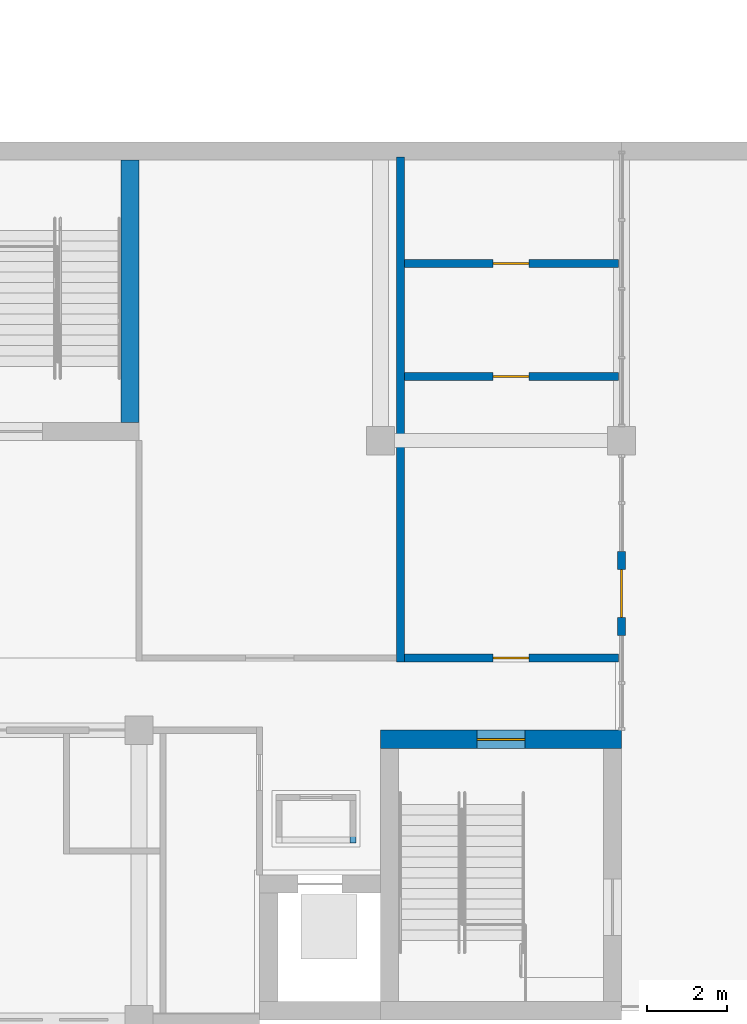
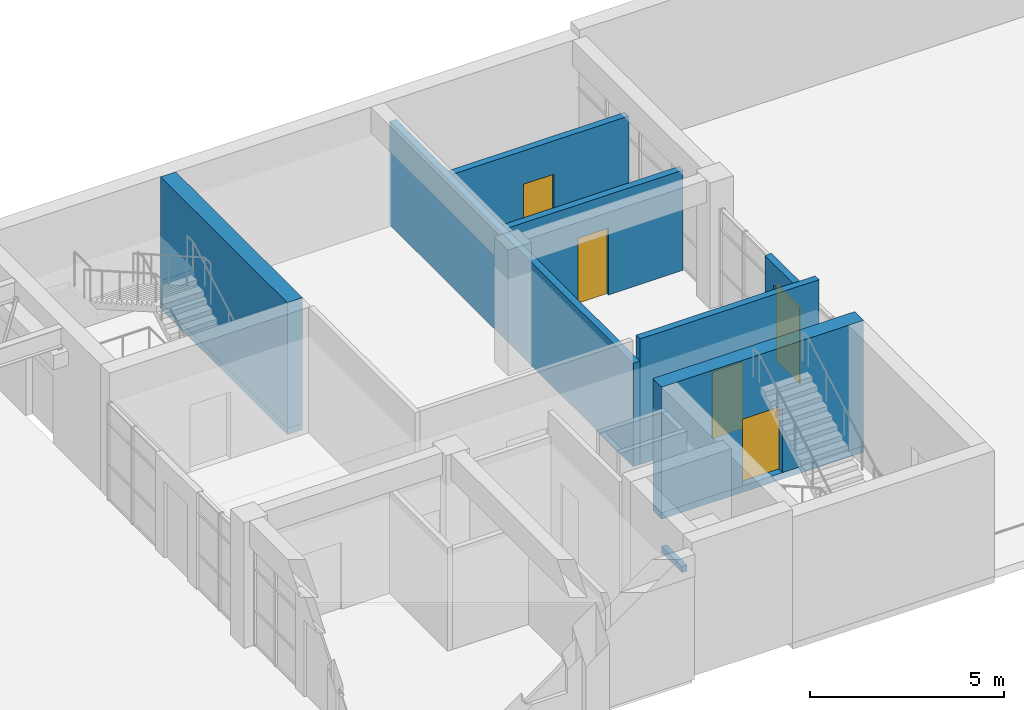
# One storey, part 72 of 103: 10 walls, 5 doors, 5 openings.
"""IFC4 building model written with IfcOpenShell, lengths in metres."""

import ifcopenshell
import ifcopenshell.guid

model = None  # the IFC model being written
_history = None  # IfcOwnerHistory: only IFC2X3 demands one
_inside = {}  # id of a spatial element -> (the spatial element, [elements in it])
_under = {}  # id of a project, library or spatial element -> (it, [spatial elements below it])
_declared = {}  # id of a project -> (the project, [libraries it declares])
_typed = {}  # id of a type object -> (the type object, [elements of that type])
_made_of = {}  # id of a material, layer set ... -> (it, [elements and type objects made of it])


def new_model(schema):
    """Start an empty IFC model of exactly this schema.

    Asked for "IFC4X3", IfcOpenShell would pick the latest addendum, in which some entities
    have other attributes; the version numbers below select the first issue.
    IFC2X3 requires an IfcOwnerHistory on every rooted entity: one is made here for all.
    """
    global model, _history
    if schema == "IFC4X3":
        model = ifcopenshell.file(schema_version=(4, 3, 0, 0))
    else:
        model = ifcopenshell.file(schema=schema)
    _inside.clear()
    _under.clear()
    _declared.clear()
    _typed.clear()
    _made_of.clear()
    _history = None
    if model.schema == "IFC2X3":
        org = make("IfcOrganization", Name="unknown")
        user = make(
            "IfcPersonAndOrganization",
            ThePerson=make("IfcPerson", FamilyName="unknown"),
            TheOrganization=org,
        )
        app = make(
            "IfcApplication",
            ApplicationDeveloper=org,
            Version="unknown",
            ApplicationFullName="unknown",
            ApplicationIdentifier="unknown",
        )
        _history = make(
            "IfcOwnerHistory",
            OwningUser=user,
            OwningApplication=app,
            ChangeAction="ADDED",
            CreationDate=0,
        )
    return model


def make(cls, **values):
    """One entity of the class cls with the attributes given. An attribute that is None is left unset."""
    return model.create_entity(
        cls, **{name: value for name, value in values.items() if value is not None}
    )


def rooted(cls, **values):
    """An entity with a GlobalId (a new one), such as an element, a storey or a relation."""
    return make(cls, GlobalId=ifcopenshell.guid.new(), OwnerHistory=_history, **values)


def si_unit(unit_type, name, prefix=None):
    """IfcSIUnit, for example si_unit("LENGTHUNIT", "METRE", prefix="MILLI")."""
    return make("IfcSIUnit", UnitType=unit_type, Prefix=prefix, Name=name)


def assignment(units):
    """IfcUnitAssignment: the units of a project."""
    return None if units is None else make("IfcUnitAssignment", Units=units)


def point(xyz):
    """IfcCartesianPoint."""
    return None if xyz is None else make("IfcCartesianPoint", Coordinates=xyz)


def direction(xyz):
    """IfcDirection."""
    return None if xyz is None else make("IfcDirection", DirectionRatios=xyz)


def frame(location, z_axis=None, x_axis=None):
    """IfcAxis2Placement3D, a coordinate frame: its origin and axes. An axis left out is left unset."""
    return make(
        "IfcAxis2Placement3D",
        Location=point(location),
        Axis=direction(z_axis),
        RefDirection=direction(x_axis),
    )


def frame_2d(location, x_axis=None):
    """IfcAxis2Placement2D, a coordinate frame in the plane: its origin and x axis."""
    return make(
        "IfcAxis2Placement2D", Location=point(location), RefDirection=direction(x_axis)
    )


def origin():
    """The frame at (0, 0, 0) with its axes left unset."""
    return frame((0.0, 0.0, 0.0))


def place(relative_to, where):
    """IfcLocalPlacement: puts the frame where relative to a parent placement (None: the world)."""
    return make(
        "IfcLocalPlacement", PlacementRelTo=relative_to, RelativePlacement=where
    )


def context(
    kind, dimensions, precision=None, world=None, true_north=None, identifier=None
):
    """IfcGeometricRepresentationContext, for example the 3D "Model" context."""
    return make(
        "IfcGeometricRepresentationContext",
        ContextIdentifier=identifier,
        ContextType=kind,
        CoordinateSpaceDimension=dimensions,
        Precision=precision,
        WorldCoordinateSystem=world,
        TrueNorth=true_north,
    )


def subcontext(parent, identifier, kind, view, scale=None):
    """IfcGeometricRepresentationSubContext, for example "Body" below "Model"."""
    return make(
        "IfcGeometricRepresentationSubContext",
        ContextIdentifier=identifier,
        ContextType=kind,
        ParentContext=parent,
        TargetScale=scale,
        TargetView=view,
    )


def project(units=None, contexts=None):
    """IfcProject with its units and contexts."""
    return rooted(
        "IfcProject",
        Name="project",
        RepresentationContexts=contexts,
        UnitsInContext=assignment(units),
    )


def spatial(cls, under=None, at=None, **own):
    """A site, building, storey or space (cls), placed at a placement, below another one or the project."""
    s = rooted(cls, ObjectPlacement=at, **own)
    if under is not None:
        _under.setdefault(under.id(), (under, []))[1].append(s)
    return s


def profile(cls, at=None, kind="AREA", **sizes):
    """A parametric profile (cls). Its sizes go by their IFC names, for example OverallWidth=200.0."""
    return make(cls, ProfileType=kind, Position=at, **sizes)


def rectangle(**sizes):
    """IfcRectangleProfileDef."""
    return profile("IfcRectangleProfileDef", **sizes)


def extrude(swept, where, along, depth):
    """IfcExtrudedAreaSolid: the profile swept, set in the frame where, extruded along a direction by depth."""
    return make(
        "IfcExtrudedAreaSolid",
        SweptArea=swept,
        Position=where,
        ExtrudedDirection=direction(along),
        Depth=depth,
    )


def shape(context_of_items, identifier, shape_type, items):
    """IfcShapeRepresentation: the items that make up one representation, for example the "Body"."""
    return make(
        "IfcShapeRepresentation",
        ContextOfItems=context_of_items,
        RepresentationIdentifier=identifier,
        RepresentationType=shape_type,
        Items=items,
    )


def material(Name=None, Category=None):
    """IfcMaterial."""
    return make("IfcMaterial", Name=Name, Category=Category)


def layer(
    of_material, thickness, ventilated=None, Name=None, Category=None, Priority=None
):
    """IfcMaterialLayer: one layer of a wall or slab, of a material (None: an air gap)."""
    return make(
        "IfcMaterialLayer",
        Material=of_material,
        LayerThickness=thickness,
        IsVentilated=ventilated,
        Name=Name,
        Category=Category,
        Priority=Priority,
    )


def layer_set(layers, Name=None):
    """IfcMaterialLayerSet."""
    return make("IfcMaterialLayerSet", MaterialLayers=layers, LayerSetName=Name)


def made_of(thing, what):
    """Note that an element or type object is made of a material, layer set ...; save() writes the relation."""
    if what is not None:
        _made_of.setdefault(what.id(), (what, []))[1].append(thing)
    return thing


def type_object(cls, material=None, **own):
    """A type object (cls), such as IfcWallType, which elements share."""
    return made_of(rooted(cls, **own), material)


def element(
    cls,
    number,
    at=None,
    inside=None,
    cuts=None,
    type_object=None,
    material=None,
    context=None,
    identifier="Body",
    shape_type=None,
    held_by="IfcProductDefinitionShape",
    body=None,
    shapes=None,
    **own,
):
    """One element of the class cls, such as IfcWall. Its Tag is "e" and its number.

    at: its placement. inside: the storey or other place that contains it. cuts: it is an
    opening in that element (IfcRelVoidsElement). A single representation is given by context,
    identifier, shape_type and body (its items); several are given by shapes. held_by: the class
    of the entity that holds the representations. save() writes the other relations.
    """
    e = rooted(cls, Tag="e%d" % number, ObjectPlacement=at, **own)
    if body is not None:
        shapes = [shape(context, identifier, shape_type, body)]
    if shapes is not None:
        e.Representation = make(held_by, Representations=shapes)
    if inside is not None:
        _inside.setdefault(inside.id(), (inside, []))[1].append(e)
    if cuts is not None:
        rooted(
            "IfcRelVoidsElement", RelatingBuildingElement=cuts, RelatedOpeningElement=e
        )
    if type_object is not None:
        _typed.setdefault(type_object.id(), (type_object, []))[1].append(e)
    return made_of(e, material)


def fill(opening, filler):
    """IfcRelFillsElement: the door or window that sits in an opening."""
    return rooted(
        "IfcRelFillsElement",
        RelatingOpeningElement=opening,
        RelatedBuildingElement=filler,
    )


def aggregate(whole, parts):
    """IfcRelAggregates: a whole, such as a stair, and the parts it consists of."""
    return rooted("IfcRelAggregates", RelatingObject=whole, RelatedObjects=parts)


def save(model, path):
    """Write the relations noted so far, then the file.

    IfcRelAggregates (storeys below a building ...), IfcRelContainedInSpatialStructure (elements
    in a storey), IfcRelDefinesByType, IfcRelAssociatesMaterial and IfcRelDeclares: one each for
    every whole, place, type object, material and project.
    """
    for whole, parts in _under.values():
        aggregate(whole, parts)
    for where, things in _inside.values():
        rooted(
            "IfcRelContainedInSpatialStructure",
            RelatedElements=things,
            RelatingStructure=where,
        )
    for kind, things in _typed.values():
        rooted("IfcRelDefinesByType", RelatedObjects=things, RelatingType=kind)
    for what, things in _made_of.values():
        rooted("IfcRelAssociatesMaterial", RelatedObjects=things, RelatingMaterial=what)
    for by, libraries in _declared.values():
        rooted("IfcRelDeclares", RelatingContext=by, RelatedDefinitions=libraries)
    model.write(path)


model = new_model("IFC4")

# Units and contexts
model_context = context("Model", 3, precision=1e-05, world=origin(), true_north=direction((0.0, 1.0)))
body_context = subcontext(model_context, "Body", "Model", "MODEL_VIEW")
ifc_project = project(units=[si_unit("LENGTHUNIT", "METRE"), si_unit("AREAUNIT", "SQUARE_METRE"), si_unit("VOLUMEUNIT", "CUBIC_METRE"), si_unit("PLANEANGLEUNIT", "RADIAN"), si_unit("MASSUNIT", "GRAM", prefix="KILO")], contexts=[model_context])

# Site, building, storey
site_placement = place(None, origin())
site = spatial("IfcSite", under=ifc_project, at=site_placement, CompositionType="ELEMENT")
building_placement = place(site_placement, origin())
building = spatial("IfcBuilding", under=site, at=building_placement, Name="Laocheng Heights Fire and Rescue Headquarters", CompositionType="ELEMENT")
storey_placement = place(building_placement, frame((0.0, 0.0, 4.199951171875)))
storey = spatial("IfcBuildingStorey", under=building, at=storey_placement, Name="L01", CompositionType="ELEMENT", Elevation=4.199951171875)

# Wall
ifc_material_1 = material(Name="Gypsum plaster")
ifc_layer_1 = layer(ifc_material_1, 0.010009765625, Name="PLASTER", Category="plaster")
ifc_material_2 = material(Name="Concrete blockwork MU10", Category="masonry")
ifc_layer_2 = layer(ifc_material_2, 0.179931640625, Name="BLOCKWORK", Category="masonry")
ifc_layer_3 = layer(ifc_material_1, 0.010009765625, Name="PLASTER", Category="plaster")
ifc_layer_set_1 = layer_set([ifc_layer_1, ifc_layer_2, ifc_layer_3], Name="Concrete blockwork MU10")
wall_type_1 = type_object("IfcWallType", Name="BLOCKWORK FIRE PARTITION 200 EI 120 CREW WING", PredefinedType="PARTITIONING", material=ifc_layer_set_1)
wall_1_placement = place(storey_placement, frame((102.5, 44.89990234375, 0.0), z_axis=(0.0, 0.0, 1.0), x_axis=(0.0, 1.0, 0.0)))
element("IfcWall", 1, at=wall_1_placement, inside=storey, type_object=wall_type_1, Name="Partition L01-005", PredefinedType="PARTITIONING", context=body_context, shape_type="SweptSolid", body=[
    extrude(rectangle(XDim=12.550048828125, YDim=0.199951171875, at=frame_2d((6.27490234375, 0.0))), origin(), (0.0, 0.0, 1.0), 3.25),
])

# Wall, opening, door
wall_2_placement = place(storey_placement, frame((102.60009765625, 45.0, 0.0), z_axis=(0.0, 0.0, 1.0), x_axis=(1.0, 0.0, 0.0)))
wall_2 = element("IfcWall", 2, at=wall_2_placement, inside=storey, type_object=wall_type_1, Name="Partition L01-009", PredefinedType="PARTITIONING", context=body_context, shape_type="SweptSolid", body=[
    extrude(rectangle(XDim=5.324951171875, YDim=0.199951171875, at=frame_2d((2.66259765625, 0.0))), origin(), (0.0, 0.0, 1.0), 3.949951171875),
])
opening_1_placement = place(wall_2_placement, frame((2.199951171875, 0.0, 0.0)))
opening_1 = element("IfcOpeningElement", 3, at=opening_1_placement, cuts=wall_2, Name="Opening L01-T05", PredefinedType="OPENING", context=body_context, shape_type="SweptSolid", body=[
    extrude(rectangle(XDim=0.89990234375, YDim=2.10009765625, at=frame_2d((0.449951171875, 1.050048828125))), frame((0.0, 0.10986328125, 0.0), z_axis=(0.0, -1.0, 0.0), x_axis=(1.0, 0.0, 0.0)), (0.0, 0.0, 1.0), 0.219970703125),
])
ifc_material_3 = material(Name="Steel door leaf, painted", Category="steel")
door_type_1 = type_object("IfcDoorType", Name="STEEL FIRE DOOR 900x2100 EI 120 CREW WING", OperationType="SINGLE_SWING_LEFT", PredefinedType="DOOR", material=ifc_material_3)
door_1_placement = place(opening_1_placement, origin())
door_1 = element("IfcDoor", 4, at=door_1_placement, inside=storey, type_object=door_type_1, Name="Door L01-T05", OperationType="SINGLE_SWING_LEFT", OverallHeight=2.10009765625, OverallWidth=0.89990234375, PredefinedType="DOOR", context=body_context, shape_type="SweptSolid", body=[
    extrude(rectangle(XDim=0.89990234375, YDim=2.10009765625, at=frame_2d((0.449951171875, 1.050048828125))), frame((0.0, 0.02490234375, 0.0), z_axis=(0.0, -1.0, 0.0), x_axis=(1.0, 0.0, 0.0)), (0.0, 0.0, 1.0), 0.050048828125),
])
fill(opening_1, door_1)

wall_3_placement = place(storey_placement, frame((102.60009765625, 52.0, 0.0), z_axis=(0.0, 0.0, 1.0), x_axis=(1.0, 0.0, 0.0)))
wall_3 = element("IfcWall", 5, at=wall_3_placement, inside=storey, type_object=wall_type_1, Name="Partition L01-010", PredefinedType="PARTITIONING", context=body_context, shape_type="SweptSolid", body=[
    extrude(rectangle(XDim=5.324951171875, YDim=0.199951171875, at=frame_2d((2.66259765625, 0.0))), origin(), (0.0, 0.0, 1.0), 3.150146484375),
])
opening_2_placement = place(wall_3_placement, frame((2.199951171875, 0.0, 0.0)))
opening_2 = element("IfcOpeningElement", 6, at=opening_2_placement, cuts=wall_3, Name="Opening L01-T06", PredefinedType="OPENING", context=body_context, shape_type="SweptSolid", body=[
    extrude(rectangle(XDim=0.89990234375, YDim=2.10009765625, at=frame_2d((0.449951171875, 1.050048828125))), frame((0.0, 0.10986328125, 0.0), z_axis=(0.0, -1.0, 0.0), x_axis=(1.0, 0.0, 0.0)), (0.0, 0.0, 1.0), 0.219970703125),
])
door_2_placement = place(opening_2_placement, origin())
door_2 = element("IfcDoor", 7, at=door_2_placement, inside=storey, type_object=door_type_1, Name="Door L01-T06", OperationType="SINGLE_SWING_LEFT", OverallHeight=2.10009765625, OverallWidth=0.89990234375, PredefinedType="DOOR", context=body_context, shape_type="SweptSolid", body=[
    extrude(rectangle(XDim=0.89990234375, YDim=2.10009765625, at=frame_2d((0.449951171875, 1.050048828125))), frame((0.0, 0.02490234375, 0.0), z_axis=(0.0, -1.0, 0.0), x_axis=(1.0, 0.0, 0.0)), (0.0, 0.0, 1.0), 0.050048828125),
])
fill(opening_2, door_2)

wall_4_placement = place(storey_placement, frame((102.60009765625, 54.800048828125, 0.0), z_axis=(0.0, 0.0, 1.0), x_axis=(1.0, 0.0, 0.0)))
wall_4 = element("IfcWall", 8, at=wall_4_placement, inside=storey, type_object=wall_type_1, Name="Partition L01-011", PredefinedType="PARTITIONING", context=body_context, shape_type="SweptSolid", body=[
    extrude(rectangle(XDim=5.324951171875, YDim=0.199951171875, at=frame_2d((2.66259765625, 0.0))), origin(), (0.0, 0.0, 1.0), 3.150146484375),
])
opening_3_placement = place(wall_4_placement, frame((2.199951171875, 0.0, 0.0)))
opening_3 = element("IfcOpeningElement", 9, at=opening_3_placement, cuts=wall_4, Name="Opening L01-T07", PredefinedType="OPENING", context=body_context, shape_type="SweptSolid", body=[
    extrude(rectangle(XDim=0.89990234375, YDim=2.10009765625, at=frame_2d((0.449951171875, 1.050048828125))), frame((0.0, 0.10986328125, 0.0), z_axis=(0.0, -1.0, 0.0), x_axis=(1.0, 0.0, 0.0)), (0.0, 0.0, 1.0), 0.219970703125),
])
door_3_placement = place(opening_3_placement, origin())
door_3 = element("IfcDoor", 10, at=door_3_placement, inside=storey, type_object=door_type_1, Name="Door L01-T07", OperationType="SINGLE_SWING_LEFT", OverallHeight=2.10009765625, OverallWidth=0.89990234375, PredefinedType="DOOR", context=body_context, shape_type="SweptSolid", body=[
    extrude(rectangle(XDim=0.89990234375, YDim=2.10009765625, at=frame_2d((0.449951171875, 1.050048828125))), frame((0.0, 0.02490234375, 0.0), z_axis=(0.0, -1.0, 0.0), x_axis=(1.0, 0.0, 0.0)), (0.0, 0.0, 1.0), 0.050048828125),
])
fill(opening_3, door_3)

ifc_material_4 = material(Name="Precast concrete C40/50", Category="concrete")
ifc_layer_4 = layer(ifc_material_4, 0.199951171875)
ifc_layer_set_2 = layer_set([ifc_layer_4], Name="Precast concrete C40/50")
wall_type_2 = type_object("IfcWallType", Name="PRECAST ENTRANCE FRAME WALL CREW 200", PredefinedType="SOLIDWALL", material=ifc_layer_set_2)
wall_5_placement = place(storey_placement, frame((108.0, 45.550048828125, 0.0), z_axis=(0.0, 0.0, 1.0), x_axis=(0.0, 1.0, 0.0)))
wall_5 = element("IfcWall", 11, at=wall_5_placement, inside=storey, type_object=wall_type_2, Name="PRECAST ENTRANCE FRAME WALL CREW CREW EAST L01", PredefinedType="SOLIDWALL", context=body_context, shape_type="SweptSolid", body=[
    extrude(rectangle(XDim=2.099853515625, YDim=0.199951171875, at=frame_2d((1.0498046875, 0.0))), origin(), (0.0, 0.0, 1.0), 3.050048828125),
])
opening_4_placement = place(wall_5_placement, frame((0.449951171875, 0.0, 0.0)))
opening_4 = element("IfcOpeningElement", 12, at=opening_4_placement, cuts=wall_5, Name="Opening L01-W03", PredefinedType="OPENING", context=body_context, shape_type="SweptSolid", body=[
    extrude(rectangle(XDim=1.199951171875, YDim=2.39990234375, at=frame_2d((0.60009765625, 1.199951171875))), frame((0.0, 0.10986328125, 0.0), z_axis=(0.0, -1.0, 0.0), x_axis=(1.0, 0.0, 0.0)), (0.0, 0.0, 1.0), 0.219970703125),
])
ifc_material_5 = material(Name="Dark anodised aluminium framed glazed door, low-e glazing", Category="aluminium")
door_type_2 = type_object("IfcDoorType", Name="MESS YARD DOOR 1200 x 2400", OperationType="SINGLE_SWING_LEFT", PredefinedType="DOOR", material=ifc_material_5)
door_4_placement = place(opening_4_placement, frame((1.199951171875, 0.0, 0.0), z_axis=(0.0, 0.0, 1.0), x_axis=(-1.0, 0.0, 0.0)))
door_4 = element("IfcDoor", 13, at=door_4_placement, inside=storey, type_object=door_type_2, Name="MESS YARD DOOR CREW EAST L01", OperationType="SINGLE_SWING_RIGHT", OverallHeight=2.39990234375, OverallWidth=1.199951171875, PredefinedType="DOOR", context=body_context, shape_type="SweptSolid", body=[
    extrude(rectangle(XDim=1.199951171875, YDim=2.39990234375, at=frame_2d((0.60009765625, 1.199951171875))), frame((0.0, 0.02490234375, 0.0), z_axis=(0.0, -1.0, 0.0), x_axis=(1.0, 0.0, 0.0)), (0.0, 0.0, 1.0), 0.050048828125),
])
fill(opening_4, door_4)

ifc_material_6 = material(Name="Concrete C50", Category="concrete")
ifc_layer_5 = layer(ifc_material_6, 0.449951171875)
ifc_layer_set_3 = layer_set([ifc_layer_5], Name="Concrete C50")
wall_type_3 = type_object("IfcWallType", Name="RC STAIR ENCLOSURE WALL 450", PredefinedType="SHEAR", material=ifc_layer_set_3)
wall_6_placement = place(storey_placement, frame((102.0, 42.97509765625, 0.0), z_axis=(0.0, 0.0, 1.0), x_axis=(1.0, 0.0, 0.0)))
wall_6 = element("IfcWall", 14, at=wall_6_placement, inside=storey, type_object=wall_type_3, Name="Stair enclosure wall", PredefinedType="SHEAR", context=body_context, shape_type="SweptSolid", body=[
    extrude(rectangle(XDim=6.0, YDim=0.449951171875, at=frame_2d((3.0, 0.0))), origin(), (0.0, 0.0, 1.0), 3.949951171875),
])
opening_5_placement = place(wall_6_placement, frame((2.39990234375, 0.0, 0.0)))
opening_5 = element("IfcOpeningElement", 15, at=opening_5_placement, cuts=wall_6, Name="Opening L01-K16", PredefinedType="OPENING", context=body_context, shape_type="SweptSolid", body=[
    extrude(rectangle(XDim=1.199951171875, YDim=2.10009765625, at=frame_2d((0.60009765625, 1.050048828125))), frame((0.0, 0.23486328125, 0.0), z_axis=(0.0, -1.0, 0.0), x_axis=(1.0, 0.0, 0.0)), (0.0, 0.0, 1.0), 0.469970703125),
])
ifc_material_7 = material(Name="Painted steel", Category="steel")
door_type_3 = type_object("IfcDoorType", Name="FIRE DOOR 1200x2100 EI 60", OperationType="SINGLE_SWING_LEFT", PredefinedType="DOOR", material=ifc_material_7)
door_5_placement = place(opening_5_placement, frame((1.199951171875, 0.0, 0.0), z_axis=(0.0, 0.0, 1.0), x_axis=(-1.0, 0.0, 0.0)))
door_5 = element("IfcDoor", 16, at=door_5_placement, inside=storey, type_object=door_type_3, Name="Stair C1 door", OperationType="SINGLE_SWING_RIGHT", OverallHeight=2.10009765625, OverallWidth=1.199951171875, PredefinedType="DOOR", context=body_context, shape_type="SweptSolid", body=[
    extrude(rectangle(XDim=1.199951171875, YDim=2.10009765625, at=frame_2d((0.60009765625, 1.050048828125))), frame((0.0, 0.02490234375, 0.0), z_axis=(0.0, -1.0, 0.0), x_axis=(1.0, 0.0, 0.0)), (0.0, 0.0, 1.0), 0.050048828125),
])
fill(opening_5, door_5)

# Walls
wall_7_placement = place(storey_placement, frame((95.77490234375, 50.85009765625, 0.0), z_axis=(0.0, 0.0, 1.0), x_axis=(0.0, 1.0, 0.0)))
element("IfcWall", 17, at=wall_7_placement, inside=storey, type_object=wall_type_3, Name="Stair enclosure wall", PredefinedType="SHEAR", context=body_context, shape_type="SweptSolid", body=[
    extrude(rectangle(XDim=6.52490234375, YDim=0.449951171875, at=frame_2d((3.262451171875, 0.0))), origin(), (0.0, 0.0, 1.0), 3.949951171875),
])
ifc_material_8 = material(Name="Concrete C30", Category="concrete")
ifc_layer_6 = layer(ifc_material_8, 0.14990234375)
ifc_layer_set_4 = layer_set([ifc_layer_6], Name="Concrete C30")
wall_type_4 = type_object("IfcWallType", Name="RISER KERB WALL 150", PredefinedType="SOLIDWALL", material=ifc_layer_set_4)
wall_8_placement = place(storey_placement, frame((101.324951171875, 40.39990234375, -0.199951171875), z_axis=(0.0, 0.0, 1.0), x_axis=(0.0, 1.0, 0.0)))
element("IfcWall", 18, at=wall_8_placement, inside=storey, type_object=wall_type_4, Name="Riser kerb wall", PredefinedType="SOLIDWALL", context=body_context, shape_type="SweptSolid", body=[
    extrude(rectangle(XDim=1.050048828125, YDim=0.14990234375, at=frame_2d((0.52490234375, 0.0))), origin(), (0.0, 0.0, 1.0), 0.199951171875),
])
ifc_material_9 = material(Name="Concrete C40", Category="concrete")
ifc_layer_7 = layer(ifc_material_9, 0.449951171875)
ifc_layer_set_5 = layer_set([ifc_layer_7], Name="Concrete C40")
wall_type_5 = type_object("IfcWallType", Name="STAIR KERB WALL 450", PredefinedType="SOLIDWALL", material=ifc_layer_set_5)
wall_9_placement = place(storey_placement, frame((102.0, 42.97509765625, -0.199951171875), z_axis=(0.0, 0.0, 1.0), x_axis=(1.0, 0.0, 0.0)))
element("IfcWall", 19, at=wall_9_placement, inside=storey, type_object=wall_type_5, Name="Stair kerb wall", PredefinedType="SOLIDWALL", context=body_context, shape_type="SweptSolid", body=[
    extrude(rectangle(XDim=6.0, YDim=0.449951171875, at=frame_2d((3.0, 0.0))), origin(), (0.0, 0.0, 1.0), 0.199951171875),
])
wall_10_placement = place(storey_placement, frame((95.77490234375, 50.85009765625, -0.199951171875), z_axis=(0.0, 0.0, 1.0), x_axis=(0.0, 1.0, 0.0)))
element("IfcWall", 20, at=wall_10_placement, inside=storey, type_object=wall_type_5, Name="Stair kerb wall", PredefinedType="SOLIDWALL", context=body_context, shape_type="SweptSolid", body=[
    extrude(rectangle(XDim=6.52490234375, YDim=0.449951171875, at=frame_2d((3.262451171875, 0.0))), origin(), (0.0, 0.0, 1.0), 0.199951171875),
])

save(model, "model.ifc")
